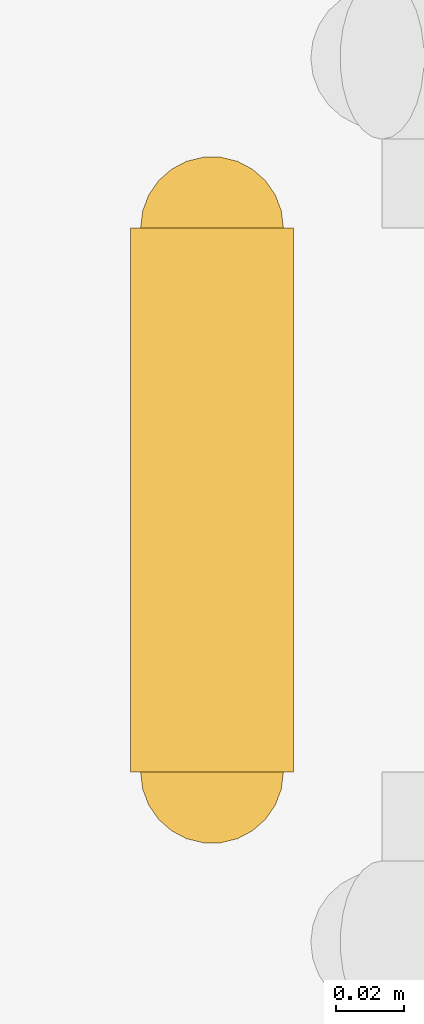
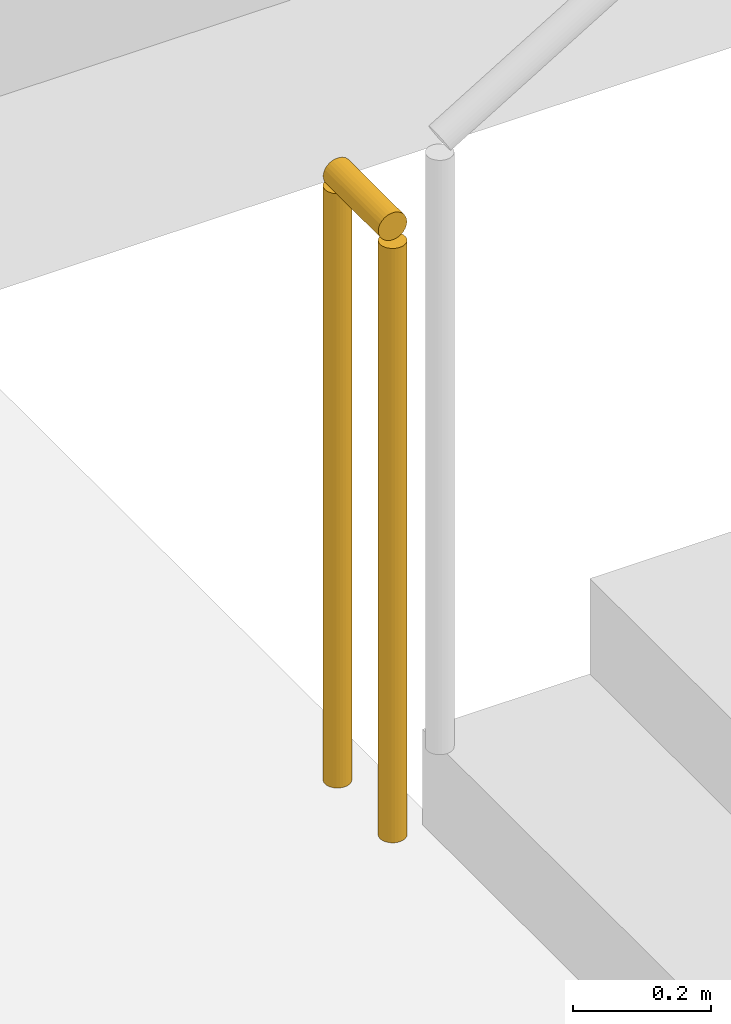
# One storey, part 15 of 19: 1 railing.
"""IFC4 building model written with IfcOpenShell, lengths in metres."""

from ifc_helpers import new_model, si_unit, direction, frame, origin, origin_2d, place, context, subcontext, project, spatial, circle, extrude, material, type_object, element, save


model = new_model("IFC4")

# Units and contexts
model_context = context("Model", 3, precision=1e-05, world=origin(), true_north=direction((0.0, 1.0)))
body_context = subcontext(model_context, "Body", "Model", "MODEL_VIEW")
ifc_project = project(units=[si_unit("LENGTHUNIT", "METRE"), si_unit("AREAUNIT", "SQUARE_METRE"), si_unit("VOLUMEUNIT", "CUBIC_METRE"), si_unit("PLANEANGLEUNIT", "RADIAN"), si_unit("MASSUNIT", "GRAM", prefix="KILO")], contexts=[model_context])

# Site, building, storey
site_placement = place(None, origin())
site = spatial("IfcSite", under=ifc_project, at=site_placement, CompositionType="ELEMENT")
building_placement = place(site_placement, origin())
building = spatial("IfcBuilding", under=site, at=building_placement, Name="Coralgate Yard Interchange", CompositionType="ELEMENT")
storey_placement = place(building_placement, frame((0.0, 0.0, -5.39990234375)))
storey = spatial("IfcBuildingStorey", under=building, at=storey_placement, Name="B1", CompositionType="ELEMENT", Elevation=-5.39990234375)

# Railing
ifc_material = material(Name="Grade 316 marine stainless steel and toughened glass balustrade", Category="steel")
railing_type = type_object("IfcRailingType", Name="RLG-GD1100", PredefinedType="BALUSTRADE", material=ifc_material)
railing_placement = place(storey_placement, frame((136.75, 40.800048828125, 0.0)))
element("IfcRailing", 1, at=railing_placement, inside=storey, type_object=railing_type, Name="B1 ST-13 stair guard 4", PredefinedType="BALUSTRADE", context=body_context, shape_type="SweptSolid", body=[
    extrude(circle(Radius=0.02392578125, at=origin_2d()), frame((0.0, 0.0, 1.076171875), z_axis=(0.0, 1.0, 0.0), x_axis=(-1.0, 0.0, 0.0)), (0.0, 0.0, 1.0), 0.159912109375),
    extrude(circle(Radius=0.02099609375, at=origin_2d()), origin(), (0.0, 0.0, 1.0), 1.051513671875),
    extrude(circle(Radius=0.02099609375, at=origin_2d()), frame((0.0, 0.159912109375, 0.0)), (0.0, 0.0, 1.0), 1.051513671875),
])

save(model, "model.ifc")
